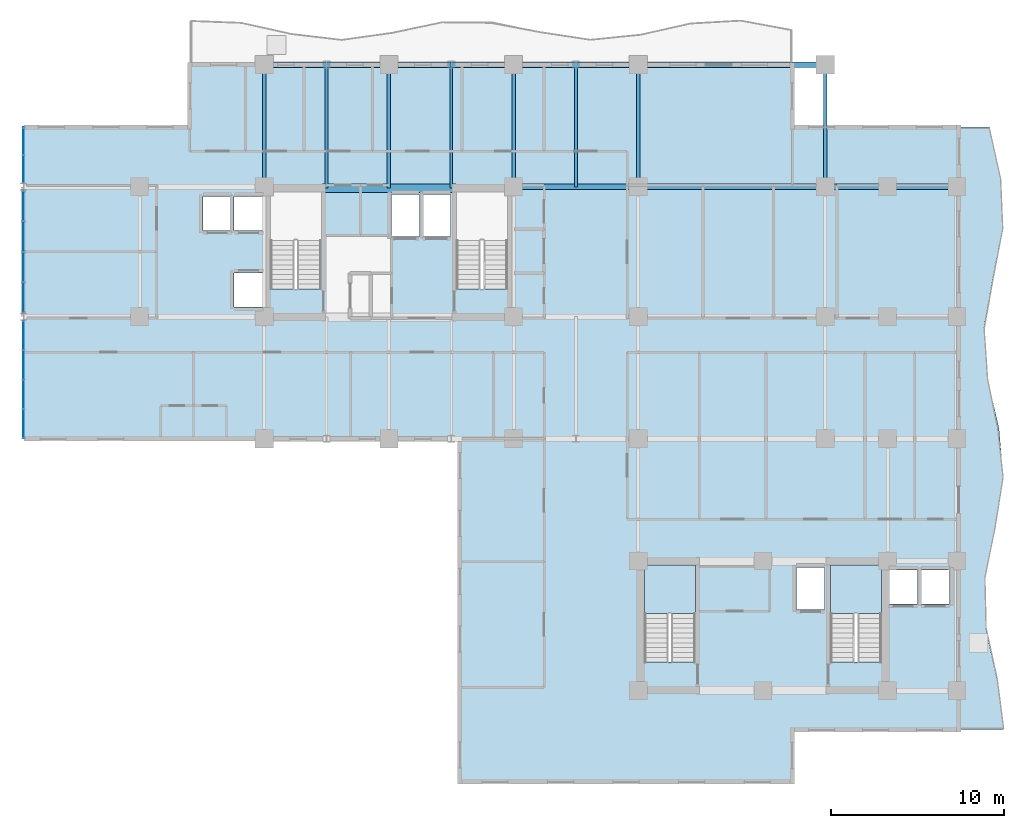
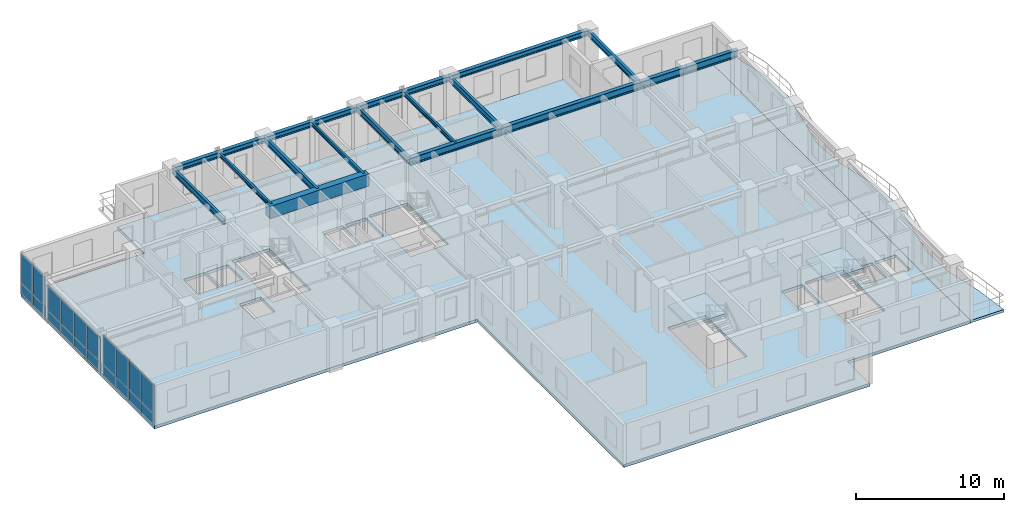
# One storey, part 8 of 18: 20 beams, 20 plates, 4 slabs, 5 elements without a shape of their own.
"""IFC4 building model written with IfcOpenShell, lengths in metres."""

from ifc_helpers import new_model, si_unit, direction, frame, origin, origin_2d, place, context, subcontext, project, spatial, polyline, rectangle, i_section, outline, extrude, source, transform, mapped, material, layer, layer_set, material_profile, profile_set, type_object, element, aggregate, save


model = new_model("IFC4")

# Units and contexts
model_context = context("Model", 3, precision=1e-05, world=origin(), true_north=direction((0.0, 1.0)))
body_context = subcontext(model_context, "Body", "Model", "MODEL_VIEW")
ifc_project = project(units=[si_unit("LENGTHUNIT", "METRE"), si_unit("AREAUNIT", "SQUARE_METRE"), si_unit("VOLUMEUNIT", "CUBIC_METRE"), si_unit("PLANEANGLEUNIT", "RADIAN"), si_unit("MASSUNIT", "GRAM", prefix="KILO")], contexts=[model_context])

# Site, building, storey
site_placement = place(None, origin())
site = spatial("IfcSite", under=ifc_project, at=site_placement, CompositionType="ELEMENT")
building_placement = place(site_placement, origin())
building = spatial("IfcBuilding", under=site, at=building_placement, Name="Kaliganga Portal Commons", CompositionType="ELEMENT")
storey_placement = place(building_placement, frame((0.0, 0.0, 169.800048828125)))
storey = spatial("IfcBuildingStorey", under=building, at=storey_placement, Name="L43", CompositionType="ELEMENT", Elevation=169.800048828125)

# Beams
ifc_material_1 = material(Name="Concrete C50/60", Category="concrete")
ifc_material_profile_1 = material_profile(ifc_material_1, rectangle(XDim=0.5, YDim=1.0, at=origin_2d()), Name="RC 500x1000")
ifc_profile_set_1 = profile_set([ifc_material_profile_1], Name="Concrete C50/60")
beam_type_1 = type_object("IfcBeamType", Name="BM-CPL-1000", PredefinedType="LINTEL", material=ifc_profile_set_1)
shared_shape_1 = source(origin(), body_context, "Body", "SweptSolid", [
    extrude(rectangle(XDim=0.5, YDim=1.0, at=origin_2d()), origin(), (0.0, 0.0, 1.0), 7.739990234375),
])
beam_1_placement = place(storey_placement, frame((17.72998046875, 36.074951171875, 2.9599609375), z_axis=(1.0, 0.0, 0.0), x_axis=(0.0, 1.0, 0.0)))
element("IfcBeam", 1, at=beam_1_placement, inside=storey, type_object=beam_type_1, Name="BM CPL COREA L43 N", PredefinedType="LINTEL", context=body_context, shape_type="MappedRepresentation", body=[
    mapped(shared_shape_1, transform((0.0, 0.0, 0.0), x_axis=(1.0, 0.0, 0.0), y_axis=(0.0, 1.0, 0.0), z_axis=(0.0, 0.0, 1.0), scale=1.0)),
])
ifc_material_2 = material(Name="Structural steel S355J2", Category="steel")
ifc_material_profile_2 = material_profile(ifc_material_2, i_section(OverallWidth=0.199951171875, OverallDepth=0.5, WebThickness=0.01025390625, FlangeThickness=0.01611328125, FilletRadius=0.02099609375, at=origin_2d()), Name="IPE 500")
ifc_profile_set_2 = profile_set([ifc_material_profile_2], Name="Structural steel S355J2 wide-flange")
beam_type_2 = type_object("IfcBeamType", Name="BM-FLR-500", PredefinedType="BEAM", material=ifc_profile_set_2)
shared_shape_2 = source(origin(), body_context, "Body", "SweptSolid", [
    extrude(i_section(OverallWidth=0.199951171875, OverallDepth=0.5, WebThickness=0.01025390625, FlangeThickness=0.01611328125, FilletRadius=0.02099609375, at=origin_2d()), origin(), (0.0, 0.0, 1.0), 7.050048828125),
])
for number, where, z_axis, x_axis, name in (
    (2, (14.39990234375, 36.14990234375, 3.2099609375), (0.0, 1.0, 0.0), (-1.0, 0.0, 0.0), "BM G L43 AN144"),
    (3, (28.800048828125, 36.14990234375, 3.2099609375), (0.0, 1.0, 0.0), (-1.0, 0.0, 0.0), "BM G L43 AN288"),
    (4, (36.0, 36.14990234375, 3.2099609375), (0.0, 1.0, 0.0), (-1.0, 0.0, 0.0), "BM G L43 AN360"),
    (5, (46.800048828125, 36.14990234375, 3.2099609375), (0.0, 1.0, 0.0), (-1.0, 0.0, 0.0), "BM G L43 AN468"),
):
    element("IfcBeam", number, at=place(storey_placement, frame(where, z_axis=z_axis, x_axis=x_axis)), inside=storey, type_object=beam_type_2, Name=name, PredefinedType="BEAM", context=body_context, shape_type="MappedRepresentation", body=[
        mapped(shared_shape_2, transform((0.0, 0.0, 0.0), x_axis=(1.0, 0.0, 0.0), y_axis=(0.0, 1.0, 0.0), z_axis=(0.0, 0.0, 1.0), scale=1.0)),
    ])
ifc_material_profile_3 = material_profile(ifc_material_2, i_section(OverallWidth=0.300048828125, OverallDepth=0.449951171875, WebThickness=0.013916015625, FlangeThickness=0.02587890625, FilletRadius=0.027099609375, at=origin_2d()), Name="HE 450 B")
ifc_profile_set_3 = profile_set([ifc_material_profile_3], Name="Structural steel S355J2 wide-flange")
beam_type_3 = type_object("IfcBeamType", Name="BM-SPAND-450", PredefinedType="SPANDREL", material=ifc_profile_set_3)
shared_shape_3 = source(origin(), body_context, "Body", "SweptSolid", [
    extrude(i_section(OverallWidth=0.300048828125, OverallDepth=0.449951171875, WebThickness=0.013916015625, FlangeThickness=0.02587890625, FilletRadius=0.027099609375, at=origin_2d()), origin(), (0.0, 0.0, 1.0), 3.60009765625),
])
for number, where, z_axis, x_axis, name in (
    (6, (14.39990234375, 43.199951171875, 3.23486328125), (1.0, 0.0, 0.0), (0.0, 1.0, 0.0), "BM SP L43 AN 1"),
    (7, (18.0, 43.199951171875, 3.23486328125), (1.0, 0.0, 0.0), (0.0, 1.0, 0.0), "BM SP L43 AN 2"),
    (8, (25.199951171875, 43.199951171875, 3.23486328125), (1.0, 0.0, 0.0), (0.0, 1.0, 0.0), "BM SP L43 AN 4"),
    (9, (32.39990234375, 43.199951171875, 3.23486328125), (1.0, 0.0, 0.0), (0.0, 1.0, 0.0), "BM SP L43 AN 6"),
):
    element("IfcBeam", number, at=place(storey_placement, frame(where, z_axis=z_axis, x_axis=x_axis)), inside=storey, type_object=beam_type_3, Name=name, PredefinedType="SPANDREL", context=body_context, shape_type="MappedRepresentation", body=[
        mapped(shared_shape_3, transform((0.0, 0.0, 0.0), x_axis=(1.0, 0.0, 0.0), y_axis=(0.0, 1.0, 0.0), z_axis=(0.0, 0.0, 1.0), scale=1.0)),
    ])
shared_shape_4 = source(origin(), body_context, "Body", "SweptSolid", [
    extrude(i_section(OverallWidth=0.300048828125, OverallDepth=0.449951171875, WebThickness=0.013916015625, FlangeThickness=0.02587890625, FilletRadius=0.027099609375, at=origin_2d()), origin(), (0.0, 0.0, 1.0), 3.599853515625),
])
for number, where, z_axis, x_axis, name in (
    (10, (21.60009765625, 43.199951171875, 3.23486328125), (1.0, 0.0, 0.0), (0.0, 1.0, 0.0), "BM SP L43 AN 3"),
    (11, (28.800048828125, 43.199951171875, 3.23486328125), (1.0, 0.0, 0.0), (0.0, 1.0, 0.0), "BM SP L43 AN 5"),
):
    element("IfcBeam", number, at=place(storey_placement, frame(where, z_axis=z_axis, x_axis=x_axis)), inside=storey, type_object=beam_type_3, Name=name, PredefinedType="SPANDREL", context=body_context, shape_type="MappedRepresentation", body=[
        mapped(shared_shape_4, transform((0.0, 0.0, 0.0), x_axis=(1.0, 0.0, 0.0), y_axis=(0.0, 1.0, 0.0), z_axis=(0.0, 0.0, 1.0), scale=1.0)),
    ])
shared_shape_5 = source(origin(), body_context, "Body", "SweptSolid", [
    extrude(i_section(OverallWidth=0.300048828125, OverallDepth=0.449951171875, WebThickness=0.013916015625, FlangeThickness=0.02587890625, FilletRadius=0.027099609375, at=origin_2d()), origin(), (0.0, 0.0, 1.0), 10.800048828125),
])
beam_2_placement = place(storey_placement, frame((36.0, 43.199951171875, 3.23486328125), z_axis=(1.0, 0.0, 0.0), x_axis=(0.0, 1.0, 0.0)))
element("IfcBeam", 12, at=beam_2_placement, inside=storey, type_object=beam_type_3, Name="BM SP L43 AN 7", PredefinedType="SPANDREL", context=body_context, shape_type="MappedRepresentation", body=[
    mapped(shared_shape_5, transform((0.0, 0.0, 0.0), x_axis=(1.0, 0.0, 0.0), y_axis=(0.0, 1.0, 0.0), z_axis=(0.0, 0.0, 1.0), scale=1.0)),
])
ifc_material_profile_4 = material_profile(ifc_material_2, i_section(OverallWidth=0.159912109375, OverallDepth=0.330078125, WebThickness=0.007568359375, FlangeThickness=0.011474609375, FilletRadius=0.01806640625, at=origin_2d()), Name="IPE 330")
ifc_profile_set_4 = profile_set([ifc_material_profile_4], Name="Structural steel S355J2 wide-flange")
beam_type_4 = type_object("IfcBeamType", Name="BM-JST-330", PredefinedType="JOIST", material=ifc_profile_set_4)
shared_shape_6 = source(origin(), body_context, "Body", "SweptSolid", [
    extrude(i_section(OverallWidth=0.159912109375, OverallDepth=0.330078125, WebThickness=0.007568359375, FlangeThickness=0.011474609375, FilletRadius=0.01806640625, at=origin_2d()), origin(), (0.0, 0.0, 1.0), 7.050048828125),
])
beam_3_placement = place(storey_placement, frame((32.39990234375, 36.14990234375, 3.294921875), z_axis=(0.0, 1.0, 0.0), x_axis=(-1.0, 0.0, 0.0)))
element("IfcBeam", 13, at=beam_3_placement, inside=storey, type_object=beam_type_4, Name="BM G L43 AN324", PredefinedType="JOIST", context=body_context, shape_type="MappedRepresentation", body=[
    mapped(shared_shape_6, transform((0.0, 0.0, 0.0), x_axis=(1.0, 0.0, 0.0), y_axis=(0.0, 1.0, 0.0), z_axis=(0.0, 0.0, 1.0), scale=1.0)),
])
ifc_material_profile_5 = material_profile(ifc_material_2, i_section(OverallWidth=0.300048828125, OverallDepth=0.60009765625, WebThickness=0.015380859375, FlangeThickness=0.030029296875, FilletRadius=0.027099609375, at=origin_2d()), Name="HE 600 B")
ifc_profile_set_5 = profile_set([ifc_material_profile_5], Name="Structural steel S355J2 wide-flange")
beam_type_5 = type_object("IfcBeamType", Name="BM-GIRD-600", PredefinedType="USERDEFINED", material=ifc_profile_set_5)
shared_shape_7 = source(origin(), body_context, "Body", "SweptSolid", [
    extrude(i_section(OverallWidth=0.300048828125, OverallDepth=0.60009765625, WebThickness=0.015380859375, FlangeThickness=0.030029296875, FilletRadius=0.027099609375, at=origin_2d()), origin(), (0.0, 0.0, 1.0), 7.199951171875),
])
beam_4_placement = place(storey_placement, frame((28.800048828125, 36.14990234375, 3.159912109375), z_axis=(1.0, 0.0, 0.0), x_axis=(0.0, 1.0, 0.0)))
element("IfcBeam", 14, at=beam_4_placement, inside=storey, type_object=beam_type_5, Name="BM G L43 WAE_N 1", ObjectType="GIRDER", PredefinedType="USERDEFINED", context=body_context, shape_type="MappedRepresentation", body=[
    mapped(shared_shape_7, transform((0.0, 0.0, 0.0), x_axis=(1.0, 0.0, 0.0), y_axis=(0.0, 1.0, 0.0), z_axis=(0.0, 0.0, 1.0), scale=1.0)),
])
shared_shape_8 = source(origin(), body_context, "Body", "SweptSolid", [
    extrude(i_section(OverallWidth=0.300048828125, OverallDepth=0.60009765625, WebThickness=0.015380859375, FlangeThickness=0.030029296875, FilletRadius=0.027099609375, at=origin_2d()), origin(), (0.0, 0.0, 1.0), 10.800048828125),
])
beam_5_placement = place(storey_placement, frame((36.0, 36.14990234375, 3.159912109375), z_axis=(1.0, 0.0, 0.0), x_axis=(0.0, 1.0, 0.0)))
element("IfcBeam", 15, at=beam_5_placement, inside=storey, type_object=beam_type_5, Name="BM G L43 WAE_N 2", ObjectType="GIRDER", PredefinedType="USERDEFINED", context=body_context, shape_type="MappedRepresentation", body=[
    mapped(shared_shape_8, transform((0.0, 0.0, 0.0), x_axis=(1.0, 0.0, 0.0), y_axis=(0.0, 1.0, 0.0), z_axis=(0.0, 0.0, 1.0), scale=1.0)),
])
shared_shape_9 = source(origin(), body_context, "Body", "SweptSolid", [
    extrude(i_section(OverallWidth=0.159912109375, OverallDepth=0.330078125, WebThickness=0.007568359375, FlangeThickness=0.011474609375, FilletRadius=0.01806640625, at=origin_2d()), origin(), (0.0, 0.0, 1.0), 7.125),
])
for number, where, z_axis, x_axis, name in (
    (16, (18.0, 36.074951171875, 3.294921875), (0.0, 1.0, 0.0), (-1.0, 0.0, 0.0), "BM G L43 AN180"),
    (17, (25.199951171875, 36.074951171875, 3.294921875), (0.0, 1.0, 0.0), (-1.0, 0.0, 0.0), "BM G L43 AN252"),
):
    element("IfcBeam", number, at=place(storey_placement, frame(where, z_axis=z_axis, x_axis=x_axis)), inside=storey, type_object=beam_type_4, Name=name, PredefinedType="JOIST", context=body_context, shape_type="MappedRepresentation", body=[
        mapped(shared_shape_9, transform((0.0, 0.0, 0.0), x_axis=(1.0, 0.0, 0.0), y_axis=(0.0, 1.0, 0.0), z_axis=(0.0, 0.0, 1.0), scale=1.0)),
    ])
shared_shape_10 = source(origin(), body_context, "Body", "SweptSolid", [
    extrude(i_section(OverallWidth=0.199951171875, OverallDepth=0.5, WebThickness=0.01025390625, FlangeThickness=0.01611328125, FilletRadius=0.02099609375, at=origin_2d()), origin(), (0.0, 0.0, 1.0), 7.125),
])
beam_6_placement = place(storey_placement, frame((21.60009765625, 36.074951171875, 3.2099609375), z_axis=(0.0, 1.0, 0.0), x_axis=(-1.0, 0.0, 0.0)))
element("IfcBeam", 18, at=beam_6_placement, inside=storey, type_object=beam_type_2, Name="BM G L43 AN216", PredefinedType="BEAM", context=body_context, shape_type="MappedRepresentation", body=[
    mapped(shared_shape_10, transform((0.0, 0.0, 0.0), x_axis=(1.0, 0.0, 0.0), y_axis=(0.0, 1.0, 0.0), z_axis=(0.0, 0.0, 1.0), scale=1.0)),
])
shared_shape_11 = source(origin(), body_context, "Body", "SweptSolid", [
    extrude(i_section(OverallWidth=0.300048828125, OverallDepth=0.60009765625, WebThickness=0.015380859375, FlangeThickness=0.030029296875, FilletRadius=0.027099609375, at=origin_2d()), origin(), (0.0, 0.0, 1.0), 4.0),
])
beam_7_placement = place(storey_placement, frame((50.39990234375, 36.14990234375, 3.159912109375), z_axis=(1.0, 0.0, 0.0), x_axis=(0.0, 1.0, 0.0)))
element("IfcBeam", 19, at=beam_7_placement, inside=storey, type_object=beam_type_5, Name="BM G L43 BKE362 2", ObjectType="GIRDER", PredefinedType="USERDEFINED", context=body_context, shape_type="MappedRepresentation", body=[
    mapped(shared_shape_11, transform((0.0, 0.0, 0.0), x_axis=(1.0, 0.0, 0.0), y_axis=(0.0, 1.0, 0.0), z_axis=(0.0, 0.0, 1.0), scale=1.0)),
])
shared_shape_12 = source(origin(), body_context, "Body", "SweptSolid", [
    extrude(i_section(OverallWidth=0.300048828125, OverallDepth=0.60009765625, WebThickness=0.015380859375, FlangeThickness=0.030029296875, FilletRadius=0.027099609375, at=origin_2d()), origin(), (0.0, 0.0, 1.0), 3.599853515625),
])
beam_8_placement = place(storey_placement, frame((46.800048828125, 36.14990234375, 3.159912109375), z_axis=(1.0, 0.0, 0.0), x_axis=(0.0, 1.0, 0.0)))
element("IfcBeam", 20, at=beam_8_placement, inside=storey, type_object=beam_type_5, Name="BM G L43 BKE362 1", ObjectType="GIRDER", PredefinedType="USERDEFINED", context=body_context, shape_type="MappedRepresentation", body=[
    mapped(shared_shape_12, transform((0.0, 0.0, 0.0), x_axis=(1.0, 0.0, 0.0), y_axis=(0.0, 1.0, 0.0), z_axis=(0.0, 0.0, 1.0), scale=1.0)),
])

# Slab
ifc_material_3 = material(Name="Concrete C40/50", Category="concrete")
ifc_layer_1 = layer(ifc_material_3, 0.2099609375)
ifc_layer_set_1 = layer_set([ifc_layer_1], Name="Concrete C40/50")
slab_type_1 = type_object("IfcSlabType", Name="SLB-BALC-210", PredefinedType="FLOOR", material=ifc_layer_set_1)
slab_1_placement = place(storey_placement, frame((0.0, 0.0, -0.2099609375)))
element("IfcSlab", 21, at=slab_1_placement, inside=storey, type_object=slab_type_1, Name="Scalloped Tree-Planter Balcony Slab L43 balc_east", PredefinedType="FLOOR", context=body_context, shape_type="SweptSolid", body=[
    extrude(outline(polyline([(54.5, 4.800048828125), (57.10009765625, 4.800048828125), (56.72314453125, 7.699951171875), (56.08349609375, 10.60009765625), (56.014404296875, 13.5), (56.60595703125, 16.39990234375), (57.08740234375, 19.300048828125), (56.83154296875, 22.199951171875), (56.171630859375, 25.10009765625), (55.967529296875, 28.0), (56.485107421875, 30.89990234375), (57.050048828125, 33.800048828125), (56.92626953125, 36.699951171875), (56.275146484375, 39.60009765625), (54.5, 39.60009765625), (54.5, 4.800048828125)])), origin(), (0.0, 0.0, 1.0), 0.2099609375),
])

# Stair, slab
stair_type = type_object("IfcStairType", Name="ST-CORE-DOGLEG", PredefinedType="HALF_TURN_STAIR", material=ifc_material_3)
stair_1_placement = place(storey_placement, origin())
stair_1 = element("IfcStair", 22, at=stair_1_placement, inside=storey, type_object=stair_type, Name="L43 Protected Exit Stair ST-B1", PredefinedType="HALF_TURN_STAIR")
ifc_layer_2 = layer(ifc_material_3, 0.199951171875)
ifc_layer_set_2 = layer_set([ifc_layer_2], Name="Concrete C40/50")
slab_type_2 = type_object("IfcSlabType", Name="SLB-STAIR-LND", PredefinedType="LANDING", material=ifc_layer_set_2)
slab_2_placement = place(storey_placement, frame((0.0, 0.0, 1.64990234375)))
slab_2 = element("IfcSlab", 23, at=slab_2_placement, type_object=slab_type_2, Name="ST-B1 landing 1", PredefinedType="LANDING", context=body_context, shape_type="SweptSolid", body=[
    extrude(outline(polyline([(39.300048828125, 11.5), (39.300048828125, 14.300048828125), (36.35009765625, 14.300048828125), (36.35009765625, 11.5), (39.300048828125, 11.5)])), origin(), (0.0, 0.0, 1.0), 0.199951171875),
])
aggregate(stair_1, [slab_2])

stair_2_placement = place(storey_placement, origin())
stair_2 = element("IfcStair", 24, at=stair_2_placement, inside=storey, type_object=stair_type, Name="L43 Protected Exit Stair ST-B2", PredefinedType="HALF_TURN_STAIR")
slab_3_placement = place(storey_placement, frame((0.0, 0.0, 1.64990234375)))
slab_3 = element("IfcSlab", 25, at=slab_3_placement, type_object=slab_type_2, Name="ST-B2 landing 1", PredefinedType="LANDING", context=body_context, shape_type="SweptSolid", body=[
    extrude(outline(polyline([(50.050048828125, 11.5), (50.050048828125, 14.300048828125), (47.10009765625, 14.300048828125), (47.10009765625, 11.5), (50.050048828125, 11.5)])), origin(), (0.0, 0.0, 1.0), 0.199951171875),
])
aggregate(stair_2, [slab_3])

# Slab
ifc_layer_3 = layer(ifc_material_3, 0.239990234375)
ifc_layer_set_3 = layer_set([ifc_layer_3], Name="Concrete C40/50")
slab_type_3 = type_object("IfcSlabType", Name="SLB-TWR-240", PredefinedType="FLOOR", material=ifc_layer_set_3)
slab_4_placement = place(storey_placement, frame((0.0, 0.0, -0.239990234375)))
element("IfcSlab", 26, at=slab_4_placement, inside=storey, type_object=slab_type_3, Name="Structural Floor Slab L43", PredefinedType="FLOOR", context=body_context, shape_type="SweptSolid", body=[
    extrude(outline(polyline([(25.699951171875, 1.800048828125), (44.89990234375, 1.800048828125), (44.89990234375, 4.800048828125), (54.5, 4.800048828125), (54.5, 39.60009765625), (44.89990234375, 39.60009765625), (44.89990234375, 43.199951171875), (10.10009765625, 43.199951171875), (10.10009765625, 39.60009765625), (0.5, 39.60009765625), (0.5, 21.60009765625), (25.699951171875, 21.60009765625), (25.699951171875, 1.800048828125)]), holes=[polyline([(14.75, 30.25390625), (14.75, 35.85009765625), (17.699951171875, 35.85009765625), (17.699951171875, 30.25390625), (14.75, 30.25390625)]), polyline([(25.5, 30.25390625), (25.5, 35.85009765625), (28.449951171875, 35.85009765625), (28.449951171875, 30.25390625), (25.5, 30.25390625)]), polyline([(36.35009765625, 8.7041015625), (36.35009765625, 14.300048828125), (39.300048828125, 14.300048828125), (39.300048828125, 8.7041015625), (36.35009765625, 8.7041015625)]), polyline([(47.10009765625, 8.7041015625), (47.10009765625, 14.300048828125), (50.050048828125, 14.300048828125), (50.050048828125, 8.7041015625), (47.10009765625, 8.7041015625)]), polyline([(12.6650390625, 33.614990234375), (12.6650390625, 35.5849609375), (14.3349609375, 35.5849609375), (14.3349609375, 33.614990234375), (12.6650390625, 33.614990234375)]), polyline([(12.6650390625, 29.215087890625), (12.6650390625, 31.18505859375), (14.3349609375, 31.18505859375), (14.3349609375, 29.215087890625), (12.6650390625, 29.215087890625)]), polyline([(10.864990234375, 33.614990234375), (10.864990234375, 35.5849609375), (12.534912109375, 35.5849609375), (12.534912109375, 33.614990234375), (10.864990234375, 33.614990234375)]), polyline([(21.739990234375, 33.2900390625), (21.739990234375, 35.7099609375), (23.360107421875, 35.7099609375), (23.360107421875, 33.2900390625), (21.739990234375, 33.2900390625)]), polyline([(23.5400390625, 33.2900390625), (23.5400390625, 35.7099609375), (25.159912109375, 35.7099609375), (25.159912109375, 33.2900390625), (23.5400390625, 33.2900390625)]), polyline([(50.465087890625, 12.06494140625), (50.465087890625, 14.034912109375), (52.135009765625, 14.034912109375), (52.135009765625, 12.06494140625), (50.465087890625, 12.06494140625)]), polyline([(52.31494140625, 12.06494140625), (52.31494140625, 14.034912109375), (53.985107421875, 14.034912109375), (53.985107421875, 12.06494140625), (52.31494140625, 12.06494140625)]), polyline([(45.139892578125, 11.739990234375), (45.139892578125, 14.159912109375), (46.760009765625, 14.159912109375), (46.760009765625, 11.739990234375), (45.139892578125, 11.739990234375)])]), origin(), (0.0, 0.0, 1.0), 0.239990234375),
])

# Curtain wall, plates
ifc_material_4 = material(Name="Anodized Aluminium and Laminated Low-E Glass", Category="aluminium")
ifc_layer_4 = layer(ifc_material_4, 0.199951171875)
ifc_layer_set_4 = layer_set([ifc_layer_4], Name="Anodized Aluminium and Laminated Low-E Glass")
curtain_wall_type = type_object("IfcCurtainWallType", Name="CW-SYS-02", PredefinedType="NOTDEFINED", material=ifc_layer_set_4)
curtain_wall_1_placement = place(storey_placement, origin())
curtain_wall_1 = element("IfcCurtainWall", 27, at=curtain_wall_1_placement, inside=storey, type_object=curtain_wall_type, Name="CW 02 L43 P1E09S3", PredefinedType="NOTDEFINED")
ifc_material_5 = material(Name="Insulated Dark Spandrel Panel", Category="metal")
ifc_layer_5 = layer(ifc_material_5, 0.044921875)
ifc_layer_set_5 = layer_set([ifc_layer_5], Name="Insulated Dark Spandrel Panel")
plate_type_1 = type_object("IfcPlateType", Name="PLT-SPN-45", PredefinedType="SHEET", material=ifc_layer_set_5)
shared_shape_13 = source(origin(), body_context, "Body", "SweptSolid", [
    extrude(rectangle(XDim=1.67041015625, YDim=0.044921875, at=origin_2d()), origin(), (0.0, 0.0, 1.0), 0.929931640625),
])
plate_1_placement = place(storey_placement, frame((0.5, 27.5869140625, 0.009765625), z_axis=(0.0, 0.0, 1.0), x_axis=(0.0, -1.0, 0.0)))
plate_1 = element("IfcPlate", 28, at=plate_1_placement, type_object=plate_type_1, Name="CW:02:L43:P1E09S3 Spandrel 00", PredefinedType="SHEET", context=body_context, shape_type="MappedRepresentation", body=[
    mapped(shared_shape_13, transform((0.0, 0.0, 0.0), x_axis=(1.0, 0.0, 0.0), y_axis=(0.0, 1.0, 0.0), z_axis=(0.0, 0.0, 1.0), scale=1.0)),
])
plate_2_placement = place(storey_placement, frame((0.5, 25.876220703125, 0.009765625), z_axis=(0.0, 0.0, 1.0), x_axis=(0.0, -1.0, 0.0)))
plate_2 = element("IfcPlate", 29, at=plate_2_placement, type_object=plate_type_1, Name="CW:02:L43:P1E09S3 Spandrel 01", PredefinedType="SHEET", context=body_context, shape_type="MappedRepresentation", body=[
    mapped(shared_shape_13, transform((0.0, 0.0, 0.0), x_axis=(1.0, 0.0, 0.0), y_axis=(0.0, 1.0, 0.0), z_axis=(0.0, 0.0, 1.0), scale=1.0)),
])
plate_3_placement = place(storey_placement, frame((0.5, 24.165771484375, 0.009765625), z_axis=(0.0, 0.0, 1.0), x_axis=(0.0, -1.0, 0.0)))
plate_3 = element("IfcPlate", 30, at=plate_3_placement, type_object=plate_type_1, Name="CW:02:L43:P1E09S3 Spandrel 02", PredefinedType="SHEET", context=body_context, shape_type="MappedRepresentation", body=[
    mapped(shared_shape_13, transform((0.0, 0.0, 0.0), x_axis=(1.0, 0.0, 0.0), y_axis=(0.0, 1.0, 0.0), z_axis=(0.0, 0.0, 1.0), scale=1.0)),
])
plate_4_placement = place(storey_placement, frame((0.5, 22.455078125, 0.009765625), z_axis=(0.0, 0.0, 1.0), x_axis=(0.0, -1.0, 0.0)))
plate_4 = element("IfcPlate", 31, at=plate_4_placement, type_object=plate_type_1, Name="CW:02:L43:P1E09S3 Spandrel 03", PredefinedType="SHEET", context=body_context, shape_type="MappedRepresentation", body=[
    mapped(shared_shape_13, transform((0.0, 0.0, 0.0), x_axis=(1.0, 0.0, 0.0), y_axis=(0.0, 1.0, 0.0), z_axis=(0.0, 0.0, 1.0), scale=1.0)),
])
ifc_material_6 = material(Name="Dark Solar-Control Laminated Low-E IGU", Category="glass")
ifc_layer_6 = layer(ifc_material_6, 0.028076171875)
ifc_layer_set_6 = layer_set([ifc_layer_6], Name="Dark Solar-Control Laminated Low-E IGU")
plate_type_2 = type_object("IfcPlateType", Name="PLT-GLZ-28", PredefinedType="CURTAIN_PANEL", material=ifc_layer_set_6)
shared_shape_14 = source(origin(), body_context, "Body", "SweptSolid", [
    extrude(rectangle(XDim=1.67041015625, YDim=0.028076171875, at=origin_2d()), origin(), (0.0, 0.0, 1.0), 2.409912109375),
])
plate_5_placement = place(storey_placement, frame((0.5, 27.5869140625, 0.9599609375), z_axis=(0.0, 0.0, 1.0), x_axis=(0.0, -1.0, 0.0)))
plate_5 = element("IfcPlate", 32, at=plate_5_placement, type_object=plate_type_2, Name="CW:02:L43:P1E09S3 Vision IGU 00", PredefinedType="CURTAIN_PANEL", context=body_context, shape_type="MappedRepresentation", body=[
    mapped(shared_shape_14, transform((0.0, 0.0, 0.0), x_axis=(1.0, 0.0, 0.0), y_axis=(0.0, 1.0, 0.0), z_axis=(0.0, 0.0, 1.0), scale=1.0)),
])
plate_6_placement = place(storey_placement, frame((0.5, 25.876220703125, 0.9599609375), z_axis=(0.0, 0.0, 1.0), x_axis=(0.0, -1.0, 0.0)))
plate_6 = element("IfcPlate", 33, at=plate_6_placement, type_object=plate_type_2, Name="CW:02:L43:P1E09S3 Vision IGU 01", PredefinedType="CURTAIN_PANEL", context=body_context, shape_type="MappedRepresentation", body=[
    mapped(shared_shape_14, transform((0.0, 0.0, 0.0), x_axis=(1.0, 0.0, 0.0), y_axis=(0.0, 1.0, 0.0), z_axis=(0.0, 0.0, 1.0), scale=1.0)),
])
plate_7_placement = place(storey_placement, frame((0.5, 24.165771484375, 0.9599609375), z_axis=(0.0, 0.0, 1.0), x_axis=(0.0, -1.0, 0.0)))
plate_7 = element("IfcPlate", 34, at=plate_7_placement, type_object=plate_type_2, Name="CW:02:L43:P1E09S3 Vision IGU 02", PredefinedType="CURTAIN_PANEL", context=body_context, shape_type="MappedRepresentation", body=[
    mapped(shared_shape_14, transform((0.0, 0.0, 0.0), x_axis=(1.0, 0.0, 0.0), y_axis=(0.0, 1.0, 0.0), z_axis=(0.0, 0.0, 1.0), scale=1.0)),
])
plate_8_placement = place(storey_placement, frame((0.5, 22.455078125, 0.9599609375), z_axis=(0.0, 0.0, 1.0), x_axis=(0.0, -1.0, 0.0)))
plate_8 = element("IfcPlate", 35, at=plate_8_placement, type_object=plate_type_2, Name="CW:02:L43:P1E09S3 Vision IGU 03", PredefinedType="CURTAIN_PANEL", context=body_context, shape_type="MappedRepresentation", body=[
    mapped(shared_shape_14, transform((0.0, 0.0, 0.0), x_axis=(1.0, 0.0, 0.0), y_axis=(0.0, 1.0, 0.0), z_axis=(0.0, 0.0, 1.0), scale=1.0)),
])
aggregate(curtain_wall_1, [plate_1, plate_5, plate_2, plate_6, plate_3, plate_7, plate_4, plate_8])

curtain_wall_2_placement = place(storey_placement, origin())
curtain_wall_2 = element("IfcCurtainWall", 36, at=curtain_wall_2_placement, inside=storey, type_object=curtain_wall_type, Name="CW 02 L43 P1E09S2", PredefinedType="NOTDEFINED")
shared_shape_15 = source(origin(), body_context, "Body", "SweptSolid", [
    extrude(rectangle(XDim=1.73095703125, YDim=0.044921875, at=origin_2d()), origin(), (0.0, 0.0, 1.0), 0.82275390625),
])
plate_9_placement = place(storey_placement, frame((0.5, 35.056396484375, 0.010009765625), z_axis=(0.0, 0.0, 1.0), x_axis=(0.0, -1.0, 0.0)))
plate_9 = element("IfcPlate", 37, at=plate_9_placement, type_object=plate_type_1, Name="CW:02:L43:P1E09S2 Spandrel 00", PredefinedType="SHEET", context=body_context, shape_type="MappedRepresentation", body=[
    mapped(shared_shape_15, transform((0.0, 0.0, 0.0), x_axis=(1.0, 0.0, 0.0), y_axis=(0.0, 1.0, 0.0), z_axis=(0.0, 0.0, 1.0), scale=1.0)),
])
plate_10_placement = place(storey_placement, frame((0.5, 33.285400390625, 0.010009765625), z_axis=(0.0, 0.0, 1.0), x_axis=(0.0, -1.0, 0.0)))
plate_10 = element("IfcPlate", 38, at=plate_10_placement, type_object=plate_type_1, Name="CW:02:L43:P1E09S2 Spandrel 01", PredefinedType="SHEET", context=body_context, shape_type="MappedRepresentation", body=[
    mapped(shared_shape_15, transform((0.0, 0.0, 0.0), x_axis=(1.0, 0.0, 0.0), y_axis=(0.0, 1.0, 0.0), z_axis=(0.0, 0.0, 1.0), scale=1.0)),
])
plate_11_placement = place(storey_placement, frame((0.5, 31.514404296875, 0.010009765625), z_axis=(0.0, 0.0, 1.0), x_axis=(0.0, -1.0, 0.0)))
plate_11 = element("IfcPlate", 39, at=plate_11_placement, type_object=plate_type_1, Name="CW:02:L43:P1E09S2 Spandrel 02", PredefinedType="SHEET", context=body_context, shape_type="MappedRepresentation", body=[
    mapped(shared_shape_15, transform((0.0, 0.0, 0.0), x_axis=(1.0, 0.0, 0.0), y_axis=(0.0, 1.0, 0.0), z_axis=(0.0, 0.0, 1.0), scale=1.0)),
])
plate_12_placement = place(storey_placement, frame((0.5, 29.743408203125, 0.010009765625), z_axis=(0.0, 0.0, 1.0), x_axis=(0.0, -1.0, 0.0)))
plate_12 = element("IfcPlate", 40, at=plate_12_placement, type_object=plate_type_1, Name="CW:02:L43:P1E09S2 Spandrel 03", PredefinedType="SHEET", context=body_context, shape_type="MappedRepresentation", body=[
    mapped(shared_shape_15, transform((0.0, 0.0, 0.0), x_axis=(1.0, 0.0, 0.0), y_axis=(0.0, 1.0, 0.0), z_axis=(0.0, 0.0, 1.0), scale=1.0)),
])
shared_shape_16 = source(origin(), body_context, "Body", "SweptSolid", [
    extrude(rectangle(XDim=1.73095703125, YDim=0.028076171875, at=origin_2d()), origin(), (0.0, 0.0, 1.0), 2.067138671875),
])
plate_13_placement = place(storey_placement, frame((0.5, 35.056396484375, 0.8525390625), z_axis=(0.0, 0.0, 1.0), x_axis=(0.0, -1.0, 0.0)))
plate_13 = element("IfcPlate", 41, at=plate_13_placement, type_object=plate_type_2, Name="CW:02:L43:P1E09S2 Vision IGU 00", PredefinedType="CURTAIN_PANEL", context=body_context, shape_type="MappedRepresentation", body=[
    mapped(shared_shape_16, transform((0.0, 0.0, 0.0), x_axis=(1.0, 0.0, 0.0), y_axis=(0.0, 1.0, 0.0), z_axis=(0.0, 0.0, 1.0), scale=1.0)),
])
plate_14_placement = place(storey_placement, frame((0.5, 33.285400390625, 0.8525390625), z_axis=(0.0, 0.0, 1.0), x_axis=(0.0, -1.0, 0.0)))
plate_14 = element("IfcPlate", 42, at=plate_14_placement, type_object=plate_type_2, Name="CW:02:L43:P1E09S2 Vision IGU 01", PredefinedType="CURTAIN_PANEL", context=body_context, shape_type="MappedRepresentation", body=[
    mapped(shared_shape_16, transform((0.0, 0.0, 0.0), x_axis=(1.0, 0.0, 0.0), y_axis=(0.0, 1.0, 0.0), z_axis=(0.0, 0.0, 1.0), scale=1.0)),
])
plate_15_placement = place(storey_placement, frame((0.5, 31.514404296875, 0.8525390625), z_axis=(0.0, 0.0, 1.0), x_axis=(0.0, -1.0, 0.0)))
plate_15 = element("IfcPlate", 43, at=plate_15_placement, type_object=plate_type_2, Name="CW:02:L43:P1E09S2 Vision IGU 02", PredefinedType="CURTAIN_PANEL", context=body_context, shape_type="MappedRepresentation", body=[
    mapped(shared_shape_16, transform((0.0, 0.0, 0.0), x_axis=(1.0, 0.0, 0.0), y_axis=(0.0, 1.0, 0.0), z_axis=(0.0, 0.0, 1.0), scale=1.0)),
])
plate_16_placement = place(storey_placement, frame((0.5, 29.743408203125, 0.8525390625), z_axis=(0.0, 0.0, 1.0), x_axis=(0.0, -1.0, 0.0)))
plate_16 = element("IfcPlate", 44, at=plate_16_placement, type_object=plate_type_2, Name="CW:02:L43:P1E09S2 Vision IGU 03", PredefinedType="CURTAIN_PANEL", context=body_context, shape_type="MappedRepresentation", body=[
    mapped(shared_shape_16, transform((0.0, 0.0, 0.0), x_axis=(1.0, 0.0, 0.0), y_axis=(0.0, 1.0, 0.0), z_axis=(0.0, 0.0, 1.0), scale=1.0)),
])
aggregate(curtain_wall_2, [plate_9, plate_13, plate_10, plate_14, plate_11, plate_15, plate_12, plate_16])

curtain_wall_3_placement = place(storey_placement, origin())
curtain_wall_3 = element("IfcCurtainWall", 45, at=curtain_wall_3_placement, inside=storey, type_object=curtain_wall_type, Name="CW 02 L43 P1E09S1", PredefinedType="NOTDEFINED")
shared_shape_17 = source(origin(), body_context, "Body", "SweptSolid", [
    extrude(rectangle(XDim=1.5810546875, YDim=0.044921875, at=origin_2d()), origin(), (0.0, 0.0, 1.0), 0.929931640625),
])
plate_17_placement = place(storey_placement, frame((0.5, 38.78955078125, 0.009765625), z_axis=(0.0, 0.0, 1.0), x_axis=(0.0, -1.0, 0.0)))
plate_17 = element("IfcPlate", 46, at=plate_17_placement, type_object=plate_type_1, Name="CW:02:L43:P1E09S1 Spandrel 00", PredefinedType="SHEET", context=body_context, shape_type="MappedRepresentation", body=[
    mapped(shared_shape_17, transform((0.0, 0.0, 0.0), x_axis=(1.0, 0.0, 0.0), y_axis=(0.0, 1.0, 0.0), z_axis=(0.0, 0.0, 1.0), scale=1.0)),
])
plate_18_placement = place(storey_placement, frame((0.5, 37.16845703125, 0.009765625), z_axis=(0.0, 0.0, 1.0), x_axis=(0.0, -1.0, 0.0)))
plate_18 = element("IfcPlate", 47, at=plate_18_placement, type_object=plate_type_1, Name="CW:02:L43:P1E09S1 Spandrel 01", PredefinedType="SHEET", context=body_context, shape_type="MappedRepresentation", body=[
    mapped(shared_shape_17, transform((0.0, 0.0, 0.0), x_axis=(1.0, 0.0, 0.0), y_axis=(0.0, 1.0, 0.0), z_axis=(0.0, 0.0, 1.0), scale=1.0)),
])
shared_shape_18 = source(origin(), body_context, "Body", "SweptSolid", [
    extrude(rectangle(XDim=1.5810546875, YDim=0.028076171875, at=origin_2d()), origin(), (0.0, 0.0, 1.0), 2.409912109375),
])
plate_19_placement = place(storey_placement, frame((0.5, 38.78955078125, 0.9599609375), z_axis=(0.0, 0.0, 1.0), x_axis=(0.0, -1.0, 0.0)))
plate_19 = element("IfcPlate", 48, at=plate_19_placement, type_object=plate_type_2, Name="CW:02:L43:P1E09S1 Vision IGU 00", PredefinedType="CURTAIN_PANEL", context=body_context, shape_type="MappedRepresentation", body=[
    mapped(shared_shape_18, transform((0.0, 0.0, 0.0), x_axis=(1.0, 0.0, 0.0), y_axis=(0.0, 1.0, 0.0), z_axis=(0.0, 0.0, 1.0), scale=1.0)),
])
plate_20_placement = place(storey_placement, frame((0.5, 37.16845703125, 0.9599609375), z_axis=(0.0, 0.0, 1.0), x_axis=(0.0, -1.0, 0.0)))
plate_20 = element("IfcPlate", 49, at=plate_20_placement, type_object=plate_type_2, Name="CW:02:L43:P1E09S1 Vision IGU 01", PredefinedType="CURTAIN_PANEL", context=body_context, shape_type="MappedRepresentation", body=[
    mapped(shared_shape_18, transform((0.0, 0.0, 0.0), x_axis=(1.0, 0.0, 0.0), y_axis=(0.0, 1.0, 0.0), z_axis=(0.0, 0.0, 1.0), scale=1.0)),
])
aggregate(curtain_wall_3, [plate_17, plate_19, plate_18, plate_20])

save(model, "model.ifc")
